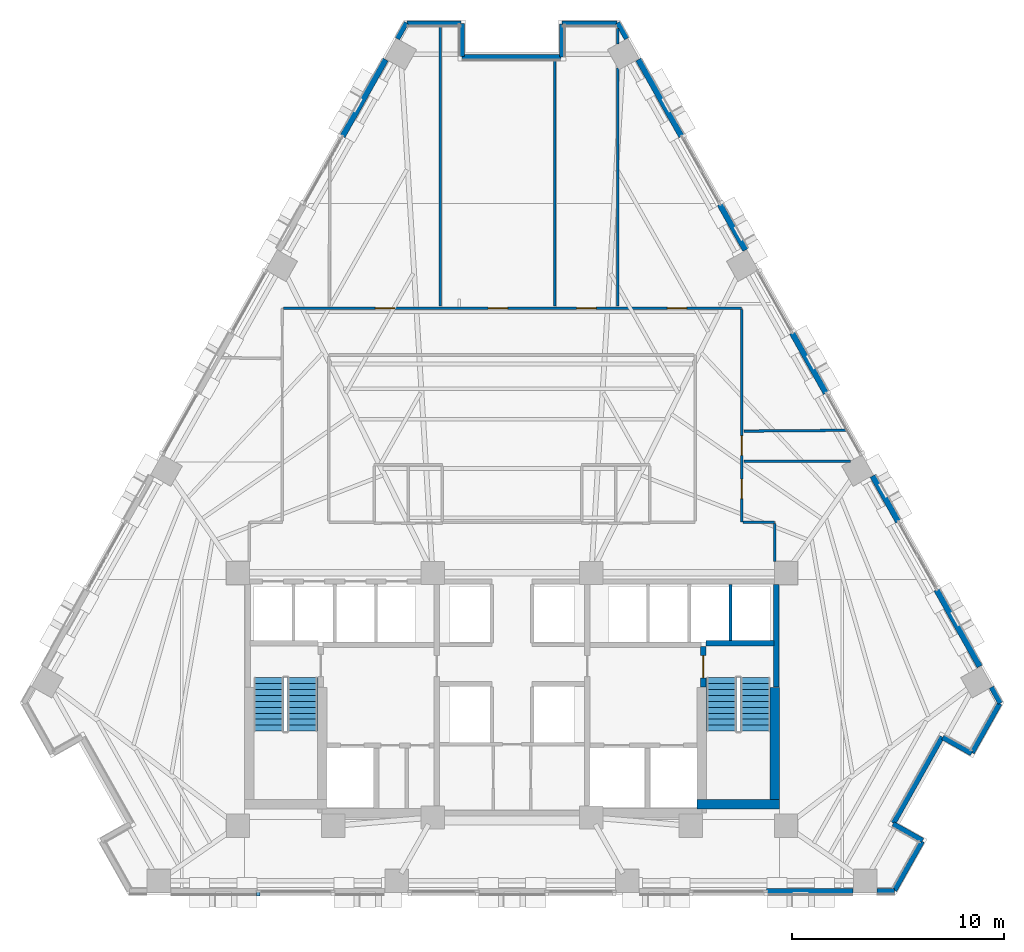
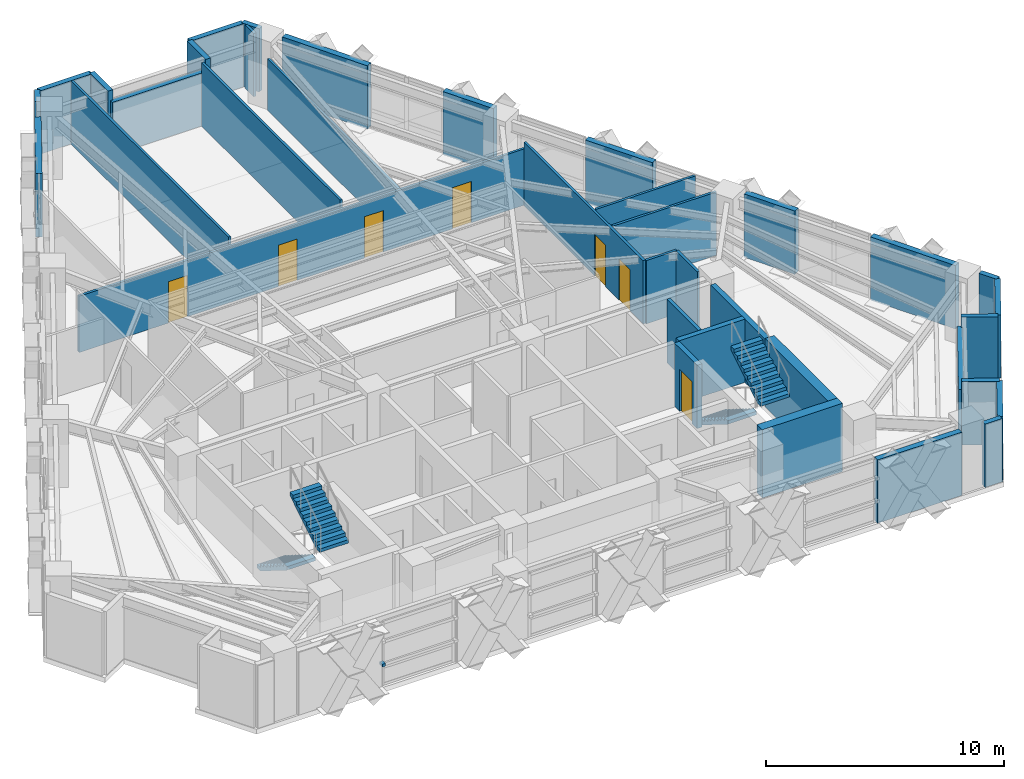
# One storey, part 9 of 14: 37 walls, 7 doors, 4 stair flights, 1 discrete accessory, 7 openings, 2 elements without a shape of their own.
"""IFC4 building model written with IfcOpenShell, lengths in metres."""

from ifc_helpers import new_model, si_unit, direction, frame, frame_2d, origin, origin_2d, place, context, subcontext, project, spatial, polyline, rectangle, outline, extrude, material, layer, layer_set, type_object, element, fill, aggregate, save


model = new_model("IFC4")

# Units and contexts
model_context = context("Model", 3, precision=1e-05, world=origin(), true_north=direction((0.0, 1.0)))
body_context = subcontext(model_context, "Body", "Model", "MODEL_VIEW")
ifc_project = project(units=[si_unit("LENGTHUNIT", "METRE"), si_unit("AREAUNIT", "SQUARE_METRE"), si_unit("VOLUMEUNIT", "CUBIC_METRE"), si_unit("PLANEANGLEUNIT", "RADIAN"), si_unit("MASSUNIT", "GRAM", prefix="KILO")], contexts=[model_context])

# Site, building, storey
site_placement = place(None, origin())
site = spatial("IfcSite", under=ifc_project, at=site_placement, CompositionType="ELEMENT")
building_placement = place(site_placement, origin())
building = spatial("IfcBuilding", under=site, at=building_placement, Name="Quenlor Broadcast Tower", CompositionType="ELEMENT")
storey_placement = place(building_placement, frame((0.0, 0.0, 80.10009765625)))
storey = spatial("IfcBuildingStorey", under=building, at=storey_placement, Name="L21", CompositionType="ELEMENT", Elevation=80.10009765625)

# Walls
ifc_material_1 = material(Name="Concrete C50/60", Category="concrete")
ifc_layer_1 = layer(ifc_material_1, 0.449951171875)
ifc_layer_set_1 = layer_set([ifc_layer_1], Name="Core Concrete C50/60 Shear Wall 450")
wall_type_1 = type_object("IfcWallType", Name="Core Concrete C50/60 Shear Wall 450", PredefinedType="SHEAR", material=ifc_layer_set_1)
wall_1_placement = place(storey_placement, frame((8.75, -15.72509765625, 0.0), z_axis=(0.0, 0.0, 1.0), x_axis=(1.0, 0.0, 0.0)))
element("IfcWall", 1, at=wall_1_placement, inside=storey, type_object=wall_type_1, Name="L21 Core Shear Wall WS-E2", PredefinedType="SHEAR", context=body_context, shape_type="SweptSolid", body=[
    extrude(rectangle(XDim=3.89990234375, YDim=0.449951171875, at=frame_2d((1.949951171875, 0.0))), origin(), (0.0, 0.0, 1.0), 3.5),
])
wall_2_placement = place(storey_placement, frame((12.425048828125, -15.72509765625, 0.0), z_axis=(0.0, 0.0, 1.0), x_axis=(0.0, 1.0, 0.0)))
element("IfcWall", 2, at=wall_2_placement, inside=storey, type_object=wall_type_1, Name="L21 Core Shear Wall WF-E", PredefinedType="SHEAR", context=body_context, shape_type="SweptSolid", body=[
    extrude(rectangle(XDim=5.525146484375, YDim=0.449951171875, at=frame_2d((2.7626953125, 0.0))), origin(), (0.0, 0.0, 1.0), 3.5),
])

# Wall, opening, door
ifc_material_2 = material(Name="Concrete C40/50", Category="concrete")
ifc_layer_2 = layer(ifc_material_2, 0.25)
ifc_layer_set_2 = layer_set([ifc_layer_2], Name="Fire Rated Concrete C40/50 Core Wall 250")
wall_type_2 = type_object("IfcWallType", Name="Fire Rated Concrete C40/50 Core Wall 250", PredefinedType="PARTITIONING", material=ifc_layer_set_2)
wall_3_placement = place(storey_placement, frame((9.0400390625, -10.179931640625, 0.0), z_axis=(0.0, 0.0, 1.0), x_axis=(0.0, 1.0, 0.0)))
wall_3 = element("IfcWall", 3, at=wall_3_placement, inside=storey, type_object=wall_type_2, Name="L21 Interior Wall CW-ST2-DR", PredefinedType="PARTITIONING", context=body_context, shape_type="SweptSolid", body=[
    extrude(rectangle(XDim=1.89990234375, YDim=0.25, at=frame_2d((0.949951171875, 0.0))), origin(), (0.0, 0.0, 1.0), 3.25),
])
opening_1_placement = place(wall_3_placement, frame((0.419921875, 0.0, 0.0)))
opening_1 = element("IfcOpeningElement", 4, at=opening_1_placement, cuts=wall_3, Name="Opening FD-1", PredefinedType="OPENING", context=body_context, shape_type="SweptSolid", body=[
    extrude(rectangle(XDim=1.050048828125, YDim=2.14990234375, at=frame_2d((0.52490234375, 1.074951171875))), frame((0.0, 0.135009765625, 0.0), z_axis=(0.0, -1.0, 0.0), x_axis=(1.0, 0.0, 0.0)), (0.0, 0.0, 1.0), 0.27001953125),
])
ifc_material_3 = material(Name="Fire Rated Steel Door Leaf", Category="steel")
door_type_1 = type_object("IfcDoorType", Name="Fire Isolated Stair Door 1050x2150", OperationType="NOTDEFINED", PredefinedType="DOOR", material=ifc_material_3)
door_1_placement = place(opening_1_placement, origin())
door_1 = element("IfcDoor", 5, at=door_1_placement, inside=storey, type_object=door_type_1, Name="L21 Door DR-ST2", OperationType="SINGLE_SWING_RIGHT", OverallHeight=2.14990234375, OverallWidth=1.050048828125, PredefinedType="DOOR", context=body_context, shape_type="SweptSolid", body=[
    extrude(rectangle(XDim=1.050048828125, YDim=2.14990234375, at=frame_2d((0.52490234375, 1.074951171875))), frame((0.0, 0.02490234375, 0.0), z_axis=(0.0, -1.0, 0.0), x_axis=(1.0, 0.0, 0.0)), (0.0, 0.0, 1.0), 0.050048828125),
])
fill(opening_1, door_1)

# Walls
wall_4_placement = place(storey_placement, frame((9.159912109375, -8.1201171875, 0.0), z_axis=(0.0, 0.0, 1.0), x_axis=(1.0, 0.0, 0.0)))
element("IfcWall", 6, at=wall_4_placement, inside=storey, type_object=wall_type_2, Name="L21 Interior Wall CW-ST2-N", PredefinedType="PARTITIONING", context=body_context, shape_type="SweptSolid", body=[
    extrude(rectangle(XDim=3.219970703125, YDim=0.25, at=frame_2d((1.60986328125, 0.0))), origin(), (0.0, 0.0, 1.0), 3.25),
])
wall_5_placement = place(storey_placement, frame((12.47998046875, -10.179931640625, 0.0), z_axis=(0.0, 0.0, 1.0), x_axis=(0.0, 1.0, 0.0)))
element("IfcWall", 7, at=wall_5_placement, inside=storey, type_object=wall_type_2, Name="L21 Interior Wall CW-ST2-E2", PredefinedType="PARTITIONING", context=body_context, shape_type="SweptSolid", body=[
    extrude(rectangle(XDim=4.827880859375, YDim=0.25, at=frame_2d((2.4140625, 0.0))), origin(), (0.0, 0.0, 1.0), 3.25),
])
ifc_material_4 = material(Name="Gypsum Fireboard Partition", Category="other")
ifc_layer_3 = layer(ifc_material_4, 0.159912109375)
ifc_layer_set_3 = layer_set([ifc_layer_3], Name="Fire Rated Shaft and Corridor Partition 160")
wall_type_3 = type_object("IfcWallType", Name="Fire Rated Shaft and Corridor Partition 160", PredefinedType="PARTITIONING", material=ifc_layer_set_3)
wall_6_placement = place(storey_placement, frame((10.324951171875, -7.992919921875, 0.0), z_axis=(0.0, 0.0, 1.0), x_axis=(0.0, 1.0, 0.0)))
element("IfcWall", 8, at=wall_6_placement, inside=storey, type_object=wall_type_3, Name="L21 Interior Wall CW-PLH-D3", PredefinedType="PARTITIONING", context=body_context, shape_type="SweptSolid", body=[
    extrude(rectangle(XDim=2.65283203125, YDim=0.159912109375, at=frame_2d((1.326416015625, 0.0))), origin(), (0.0, 0.0, 1.0), 3.25),
])

# Wall, openings, doors
ifc_material_5 = material(Name="Gypsum Plasterboard Partition", Category="other")
ifc_layer_4 = layer(ifc_material_5, 0.1201171875)
ifc_layer_set_4 = layer_set([ifc_layer_4], Name="Standard Office Partition 120")
wall_type_4 = type_object("IfcWallType", Name="Standard Office Partition 120", PredefinedType="PARTITIONING", material=ifc_layer_set_4)
wall_7_placement = place(storey_placement, frame((-10.7880859375, 7.699951171875, 0.0), z_axis=(0.0, 0.0, 1.0), x_axis=(1.0, 0.0, 0.0)))
wall_7 = element("IfcWall", 9, at=wall_7_placement, inside=storey, type_object=wall_type_4, Name="L21 Interior Wall PW-CR-03", PredefinedType="PARTITIONING", context=body_context, shape_type="SweptSolid", body=[
    extrude(rectangle(XDim=21.63818359375, YDim=0.1201171875, at=frame_2d((10.819091796875, 0.0))), origin(), (0.0, 0.0, 1.0), 2.891357421875),
])
opening_2_placement = place(wall_7_placement, frame((13.840087890625, 0.0, 0.0)))
opening_2 = element("IfcOpeningElement", 10, at=opening_2_placement, cuts=wall_7, Name="Opening ID-1", PredefinedType="OPENING", context=body_context, shape_type="SweptSolid", body=[
    extrude(rectangle(XDim=0.919921875, YDim=2.1201171875, at=frame_2d((0.4599609375, 1.06005859375))), frame((0.0, 0.070068359375, 0.0), z_axis=(0.0, -1.0, 0.0), x_axis=(1.0, 0.0, 0.0)), (0.0, 0.0, 1.0), 0.14013671875),
])
opening_3_placement = place(wall_7_placement, frame((9.6650390625, 0.0, 0.0)))
opening_3 = element("IfcOpeningElement", 11, at=opening_3_placement, cuts=wall_7, Name="Opening ID-1", PredefinedType="OPENING", context=body_context, shape_type="SweptSolid", body=[
    extrude(rectangle(XDim=0.919921875, YDim=2.1201171875, at=frame_2d((0.4599609375, 1.06005859375))), frame((0.0, 0.070068359375, 0.0), z_axis=(0.0, -1.0, 0.0), x_axis=(1.0, 0.0, 0.0)), (0.0, 0.0, 1.0), 0.14013671875),
])
opening_4_placement = place(wall_7_placement, frame((4.3330078125, 0.0, 0.0)))
opening_4 = element("IfcOpeningElement", 12, at=opening_4_placement, cuts=wall_7, Name="Opening ID-1", PredefinedType="OPENING", context=body_context, shape_type="SweptSolid", body=[
    extrude(rectangle(XDim=0.919921875, YDim=2.1201171875, at=frame_2d((0.4599609375, 1.06005859375))), frame((0.0, 0.070068359375, 0.0), z_axis=(0.0, -1.0, 0.0), x_axis=(1.0, 0.0, 0.0)), (0.0, 0.0, 1.0), 0.14013671875),
])
opening_5_placement = place(wall_7_placement, frame((18.1240234375, 0.0, 0.0)))
opening_5 = element("IfcOpeningElement", 13, at=opening_5_placement, cuts=wall_7, Name="Opening ID-1", PredefinedType="OPENING", context=body_context, shape_type="SweptSolid", body=[
    extrude(rectangle(XDim=0.919921875, YDim=2.1201171875, at=frame_2d((0.4599609375, 1.06005859375))), frame((0.0, 0.070068359375, 0.0), z_axis=(0.0, -1.0, 0.0), x_axis=(1.0, 0.0, 0.0)), (0.0, 0.0, 1.0), 0.14013671875),
])
ifc_material_6 = material(Name="Solid Core Timber Oak", Category="wood")
door_type_2 = type_object("IfcDoorType", Name="Single Leaf Timber Office Door 920x2120", OperationType="NOTDEFINED", PredefinedType="DOOR", material=ifc_material_6)
door_2_placement = place(opening_2_placement, origin())
door_2 = element("IfcDoor", 14, at=door_2_placement, inside=storey, type_object=door_type_2, Name="L21 Door DR-RM01", OperationType="SINGLE_SWING_RIGHT", OverallHeight=2.1201171875, OverallWidth=0.919921875, PredefinedType="DOOR", context=body_context, shape_type="SweptSolid", body=[
    extrude(rectangle(XDim=0.919921875, YDim=2.1201171875, at=frame_2d((0.4599609375, 1.06005859375))), frame((0.0, 0.02490234375, 0.0), z_axis=(0.0, -1.0, 0.0), x_axis=(1.0, 0.0, 0.0)), (0.0, 0.0, 1.0), 0.050048828125),
])
fill(opening_2, door_2)
door_3_placement = place(opening_3_placement, origin())
door_3 = element("IfcDoor", 15, at=door_3_placement, inside=storey, type_object=door_type_2, Name="L21 Door DR-RM02", OperationType="SINGLE_SWING_LEFT", OverallHeight=2.1201171875, OverallWidth=0.919921875, PredefinedType="DOOR", context=body_context, shape_type="SweptSolid", body=[
    extrude(rectangle(XDim=0.919921875, YDim=2.1201171875, at=frame_2d((0.4599609375, 1.06005859375))), frame((0.0, 0.02490234375, 0.0), z_axis=(0.0, -1.0, 0.0), x_axis=(1.0, 0.0, 0.0)), (0.0, 0.0, 1.0), 0.050048828125),
])
fill(opening_3, door_3)
door_4_placement = place(opening_4_placement, origin())
door_4 = element("IfcDoor", 16, at=door_4_placement, inside=storey, type_object=door_type_2, Name="L21 Door DR-RM03", OperationType="SINGLE_SWING_RIGHT", OverallHeight=2.1201171875, OverallWidth=0.919921875, PredefinedType="DOOR", context=body_context, shape_type="SweptSolid", body=[
    extrude(rectangle(XDim=0.919921875, YDim=2.1201171875, at=frame_2d((0.4599609375, 1.06005859375))), frame((0.0, 0.02490234375, 0.0), z_axis=(0.0, -1.0, 0.0), x_axis=(1.0, 0.0, 0.0)), (0.0, 0.0, 1.0), 0.050048828125),
])
fill(opening_4, door_4)
door_5_placement = place(opening_5_placement, origin())
door_5 = element("IfcDoor", 17, at=door_5_placement, inside=storey, type_object=door_type_2, Name="L21 Door DR-RM04", OperationType="SINGLE_SWING_LEFT", OverallHeight=2.1201171875, OverallWidth=0.919921875, PredefinedType="DOOR", context=body_context, shape_type="SweptSolid", body=[
    extrude(rectangle(XDim=0.919921875, YDim=2.1201171875, at=frame_2d((0.4599609375, 1.06005859375))), frame((0.0, 0.02490234375, 0.0), z_axis=(0.0, -1.0, 0.0), x_axis=(1.0, 0.0, 0.0)), (0.0, 0.0, 1.0), 0.050048828125),
])
fill(opening_5, door_5)

wall_8_placement = place(storey_placement, frame((10.85009765625, 7.637939453125, 0.0), z_axis=(0.0, 0.0, 1.0), x_axis=(0.0, -1.0, 0.0)))
wall_8 = element("IfcWall", 18, at=wall_8_placement, inside=storey, type_object=wall_type_4, Name="L21 Interior Wall PW-CR-04", PredefinedType="PARTITIONING", context=body_context, shape_type="SweptSolid", body=[
    extrude(rectangle(XDim=10.037841796875, YDim=0.1201171875, at=frame_2d((5.01904296875, 0.0))), origin(), (0.0, 0.0, 1.0), 3.25),
])
opening_6_placement = place(wall_8_placement, frame((5.965087890625, 0.0, 0.0)))
opening_6 = element("IfcOpeningElement", 19, at=opening_6_placement, cuts=wall_8, Name="Opening ID-1", PredefinedType="OPENING", context=body_context, shape_type="SweptSolid", body=[
    extrude(rectangle(XDim=0.919921875, YDim=2.1201171875, at=frame_2d((0.4599609375, 1.06005859375))), frame((0.0, 0.070068359375, 0.0), z_axis=(0.0, -1.0, 0.0), x_axis=(1.0, 0.0, 0.0)), (0.0, 0.0, 1.0), 0.14013671875),
])
opening_7_placement = place(wall_8_placement, frame((8.006103515625, 0.0, 0.0)))
opening_7 = element("IfcOpeningElement", 20, at=opening_7_placement, cuts=wall_8, Name="Opening ID-1", PredefinedType="OPENING", context=body_context, shape_type="SweptSolid", body=[
    extrude(rectangle(XDim=0.919921875, YDim=2.1201171875, at=frame_2d((0.4599609375, 1.06005859375))), frame((0.0, 0.070068359375, 0.0), z_axis=(0.0, -1.0, 0.0), x_axis=(1.0, 0.0, 0.0)), (0.0, 0.0, 1.0), 0.14013671875),
])
door_6_placement = place(opening_6_placement, origin())
door_6 = element("IfcDoor", 21, at=door_6_placement, inside=storey, type_object=door_type_2, Name="L21 Door DR-RM07", OperationType="SINGLE_SWING_RIGHT", OverallHeight=2.1201171875, OverallWidth=0.919921875, PredefinedType="DOOR", context=body_context, shape_type="SweptSolid", body=[
    extrude(rectangle(XDim=0.919921875, YDim=2.1201171875, at=frame_2d((0.4599609375, 1.06005859375))), frame((0.0, 0.02490234375, 0.0), z_axis=(0.0, -1.0, 0.0), x_axis=(1.0, 0.0, 0.0)), (0.0, 0.0, 1.0), 0.050048828125),
])
fill(opening_6, door_6)
door_7_placement = place(opening_7_placement, origin())
door_7 = element("IfcDoor", 22, at=door_7_placement, inside=storey, type_object=door_type_2, Name="L21 Door DR-RM08", OperationType="SINGLE_SWING_LEFT", OverallHeight=2.1201171875, OverallWidth=0.919921875, PredefinedType="DOOR", context=body_context, shape_type="SweptSolid", body=[
    extrude(rectangle(XDim=0.919921875, YDim=2.1201171875, at=frame_2d((0.4599609375, 1.06005859375))), frame((0.0, 0.02490234375, 0.0), z_axis=(0.0, -1.0, 0.0), x_axis=(1.0, 0.0, 0.0)), (0.0, 0.0, 1.0), 0.050048828125),
])
fill(opening_7, door_7)

# Walls
wall_9_placement = place(storey_placement, frame((10.912109375, -2.39990234375, 0.0), z_axis=(0.0, 0.0, 1.0), x_axis=(1.0, 0.0, 0.0)))
element("IfcWall", 23, at=wall_9_placement, inside=storey, type_object=wall_type_4, Name="L21 Interior Wall PW-CR-05", PredefinedType="PARTITIONING", context=body_context, shape_type="SweptSolid", body=[
    extrude(rectangle(XDim=1.497802734375, YDim=0.1201171875, at=frame_2d((0.7490234375, 0.0))), origin(), (0.0, 0.0, 1.0), 3.25),
])
wall_10_placement = place(storey_placement, frame((12.409912109375, -2.4619140625, 0.0), z_axis=(0.0, 0.0, 1.0), x_axis=(0.0, -1.0, 0.0)))
element("IfcWall", 24, at=wall_10_placement, inside=storey, type_object=wall_type_4, Name="L21 Interior Wall PW-CR-06", PredefinedType="PARTITIONING", context=body_context, shape_type="SweptSolid", body=[
    extrude(rectangle(XDim=1.7861328125, YDim=0.1201171875, at=frame_2d((0.89306640625, 0.0))), origin(), (0.0, 0.0, 1.0), 3.25),
])
wall_11_placement = place(storey_placement, frame((2.023681640625, 7.81005859375, 0.0), z_axis=(0.0, 0.0, 1.0), x_axis=(0.0, 1.0, 0.0)))
element("IfcWall", 25, at=wall_11_placement, inside=storey, type_object=wall_type_4, Name="L21 Interior Wall PW-DV-01", PredefinedType="PARTITIONING", context=body_context, shape_type="SweptSolid", body=[
    extrude(rectangle(XDim=11.635986328125, YDim=0.1201171875, at=frame_2d((5.81787109375, 0.0))), origin(), (0.0, 0.0, 1.0), 3.25),
])
wall_12_placement = place(storey_placement, frame((5.0, 20.935791015625, 0.0), z_axis=(0.0, 0.0, 1.0), x_axis=(0.0, -1.0, 0.0)))
element("IfcWall", 26, at=wall_12_placement, inside=storey, type_object=wall_type_4, Name="L21 Interior Wall PW-DV-02", PredefinedType="PARTITIONING", context=body_context, shape_type="SweptSolid", body=[
    extrude(rectangle(XDim=0.73095703125, YDim=0.1201171875, at=frame_2d((0.365478515625, 0.0))), origin(), (0.0, 0.0, 1.0), 3.25),
])
wall_13_placement = place(storey_placement, frame((5.0, 19.0595703125, 0.0), z_axis=(0.0, 0.0, 1.0), x_axis=(0.0, -1.0, 0.0)))
element("IfcWall", 27, at=wall_13_placement, inside=storey, type_object=wall_type_4, Name="L21 Interior Wall PW-DV-02S2", PredefinedType="PARTITIONING", context=body_context, shape_type="SweptSolid", body=[
    extrude(rectangle(XDim=11.24951171875, YDim=0.1201171875, at=frame_2d((5.624755859375, 0.0))), origin(), (0.0, 0.0, 1.0), 2.64794921875),
])
wall_14_placement = place(storey_placement, frame((-3.389892578125, 7.81005859375, 0.0), z_axis=(0.0, 0.0, 1.0), x_axis=(0.0, 1.0, 0.0)))
element("IfcWall", 28, at=wall_14_placement, inside=storey, type_object=wall_type_4, Name="L21 Interior Wall PW-DV-03", PredefinedType="PARTITIONING", context=body_context, shape_type="SweptSolid", body=[
    extrude(rectangle(XDim=13.23583984375, YDim=0.1201171875, at=frame_2d((6.617919921875, 0.0))), origin(), (0.0, 0.0, 1.0), 3.25),
])
wall_15_placement = place(storey_placement, frame((15.813232421875, 1.94091796875, 0.0), z_axis=(0.0, 0.0, 1.0), x_axis=(-0.999966796082, -0.008149032696, 0.0)))
element("IfcWall", 29, at=wall_15_placement, inside=storey, type_object=wall_type_4, Name="L21 Interior Wall PW-DV-05", PredefinedType="PARTITIONING", context=body_context, shape_type="SweptSolid", body=[
    extrude(rectangle(XDim=4.853515625, YDim=0.1201171875, at=frame_2d((2.4267578125, 0.0))), origin(), (0.0, 0.0, 1.0), 3.25),
])
wall_16_placement = place(storey_placement, frame((15.99267578125, 0.486328125, 0.0), z_axis=(0.0, 0.0, 1.0), x_axis=(-1.0, 0.0, 0.0)))
element("IfcWall", 30, at=wall_16_placement, inside=storey, type_object=wall_type_4, Name="L21 Interior Wall PW-DV-07", PredefinedType="PARTITIONING", context=body_context, shape_type="SweptSolid", body=[
    extrude(rectangle(XDim=5.03271484375, YDim=0.1201171875, at=frame_2d((2.516357421875, 0.0))), origin(), (0.0, 0.0, 1.0), 3.25),
])
ifc_material_7 = material(Name="Precast concrete C40/50", Category="concrete")
ifc_layer_5 = layer(ifc_material_7, 0.239990234375)
ifc_layer_set_5 = layer_set([ifc_layer_5], Name="Terrace Threshold Precast Concrete C40/50 Wall 240")
wall_type_5 = type_object("IfcWallType", Name="Terrace Threshold Precast Concrete C40/50 Wall 240", PredefinedType="STANDARD", material=ifc_layer_set_5)
wall_17_placement = place(storey_placement, frame((18.083984375, -19.840087890625, 0.0), z_axis=(0.0, 0.0, 1.0), x_axis=(-1.0, 0.0, 0.0)))
element("IfcWall", 31, at=wall_17_placement, inside=storey, type_object=wall_type_5, Name="L21 Exterior Wall L21-SHD-SS0", PredefinedType="STANDARD", context=body_context, shape_type="SweptSolid", body=[
    extrude(rectangle(XDim=0.83642578125, YDim=0.239990234375, at=frame_2d((0.418212890625, 0.0))), origin(), (0.0, 0.0, 1.0), 3.25),
])
for number, where, z_axis, x_axis, name in (
    (32, (4.992919921875, 21.197265625, 0.0), (0.0, 0.0, 1.0), (0.490355003566, -0.871522788272, 0.0), "L21 Exterior Wall L21-SHD-NES0"),
    (33, (22.65380859375, -10.199951171875, 0.0), (0.0, 0.0, 1.0), (0.490355003566, -0.871522788272, 0.0), "L21 Exterior Wall L21-SHD-NES1"),
    (34, (-5.417236328125, 20.443115234375, 0.0), (0.0, 0.0, 1.0), (0.490355003566, 0.871522788272, 0.0), "L21 Exterior Wall L21-SHD-NWS1"),
):
    element("IfcWall", number, at=place(storey_placement, frame(where, z_axis=z_axis, x_axis=x_axis)), inside=storey, type_object=wall_type_5, Name=name, PredefinedType="STANDARD", context=body_context, shape_type="SweptSolid", body=[
        extrude(rectangle(XDim=0.865234375, YDim=0.239990234375, at=frame_2d((0.4326171875, 0.0))), origin(), (0.0, 0.0, 1.0), 3.25),
    ])
wall_18_placement = place(storey_placement, frame((19.39892578125, -17.4423828125, 0.0), z_axis=(0.0, 0.0, 1.0), x_axis=(-0.871575537125, 0.490261239633, 0.0)))
element("IfcWall", 35, at=wall_18_placement, inside=storey, type_object=wall_type_5, Name="L21 Exterior Wall L21-CNR-01", PredefinedType="STANDARD", context=body_context, shape_type="SweptSolid", body=[
    extrude(rectangle(XDim=1.60009765625, YDim=0.239990234375, at=frame_2d((0.800048828125, 0.0))), origin(), (0.0, 0.0, 1.0), 3.25),
])
wall_19_placement = place(storey_placement, frame((18.024169921875, -16.623046875, 0.0), z_axis=(0.0, 0.0, 1.0), x_axis=(0.490273623647, 0.871568571001, 0.0)))
element("IfcWall", 36, at=wall_19_placement, inside=storey, type_object=wall_type_5, Name="L21 Exterior Wall L21-CNR-02", PredefinedType="STANDARD", context=body_context, shape_type="SweptSolid", body=[
    extrude(rectangle(XDim=4.679931640625, YDim=0.239990234375, at=frame_2d((2.33984375, 0.0))), origin(), (0.0, 0.0, 1.0), 2.7216796875),
])
wall_20_placement = place(storey_placement, frame((20.353515625, -12.563720703125, 0.0), z_axis=(0.0, 0.0, 1.0), x_axis=(0.871546278971, -0.490313250496, 0.0)))
element("IfcWall", 37, at=wall_20_placement, inside=storey, type_object=wall_type_5, Name="L21 Exterior Wall L21-CNR-03", PredefinedType="STANDARD", context=body_context, shape_type="SweptSolid", body=[
    extrude(rectangle(XDim=1.56005859375, YDim=0.239990234375, at=frame_2d((0.780029296875, 0.0))), origin(), (0.0, 0.0, 1.0), 3.25),
])
wall_21_placement = place(storey_placement, frame((21.732666015625, -13.293701171875, 0.0), z_axis=(0.0, 0.0, 1.0), x_axis=(0.490265590412, 0.871573089797, 0.0)))
element("IfcWall", 38, at=wall_21_placement, inside=storey, type_object=wall_type_5, Name="L21 Exterior Wall L21-CNR-04", PredefinedType="STANDARD", context=body_context, shape_type="SweptSolid", body=[
    extrude(rectangle(XDim=2.6640625, YDim=0.239990234375, at=frame_2d((1.33203125, 0.0))), origin(), (0.0, 0.0, 1.0), 3.25),
])
wall_22_placement = place(storey_placement, frame((4.95947265625, 21.16796875, 0.0), z_axis=(0.0, 0.0, 1.0), x_axis=(-1.0, 0.0, 0.0)))
element("IfcWall", 39, at=wall_22_placement, inside=storey, type_object=wall_type_5, Name="L21 Exterior Wall L21-CNR-06", PredefinedType="STANDARD", context=body_context, shape_type="SweptSolid", body=[
    extrude(rectangle(XDim=2.599365234375, YDim=0.239990234375, at=frame_2d((1.2998046875, 0.0))), origin(), (0.0, 0.0, 1.0), 3.25),
])
wall_23_placement = place(storey_placement, frame((2.360107421875, 21.1279296875, 0.0), z_axis=(0.0, 0.0, 1.0), x_axis=(0.0, -1.0, 0.0)))
element("IfcWall", 40, at=wall_23_placement, inside=storey, type_object=wall_type_5, Name="L21 Exterior Wall L21-CNR-07", PredefinedType="STANDARD", context=body_context, shape_type="SweptSolid", body=[
    extrude(rectangle(XDim=1.559814453125, YDim=0.239990234375, at=frame_2d((0.77978515625, 0.0))), origin(), (0.0, 0.0, 1.0), 3.25),
])
wall_24_placement = place(storey_placement, frame((2.320068359375, 19.568115234375, 0.0), z_axis=(0.0, 0.0, 1.0), x_axis=(-1.0, 0.0, 0.0)))
element("IfcWall", 41, at=wall_24_placement, inside=storey, type_object=wall_type_5, Name="L21 Exterior Wall L21-CNR-08", PredefinedType="STANDARD", context=body_context, shape_type="SweptSolid", body=[
    extrude(rectangle(XDim=4.68017578125, YDim=0.239990234375, at=frame_2d((2.340087890625, 0.0))), origin(), (0.0, 0.0, 1.0), 2.7216796875),
])
wall_25_placement = place(storey_placement, frame((-2.360107421875, 19.60791015625, 0.0), z_axis=(0.0, 0.0, 1.0), x_axis=(0.0, 1.0, 0.0)))
element("IfcWall", 42, at=wall_25_placement, inside=storey, type_object=wall_type_5, Name="L21 Exterior Wall L21-CNR-09", PredefinedType="STANDARD", context=body_context, shape_type="SweptSolid", body=[
    extrude(rectangle(XDim=1.56005859375, YDim=0.239990234375, at=frame_2d((0.780029296875, 0.0))), origin(), (0.0, 0.0, 1.0), 3.25),
])
wall_26_placement = place(storey_placement, frame((-2.39990234375, 21.16796875, 0.0), z_axis=(0.0, 0.0, 1.0), x_axis=(-1.0, 0.0, 0.0)))
element("IfcWall", 43, at=wall_26_placement, inside=storey, type_object=wall_type_5, Name="L21 Exterior Wall L21-CNR-10", PredefinedType="STANDARD", context=body_context, shape_type="SweptSolid", body=[
    extrude(rectangle(XDim=2.5595703125, YDim=0.239990234375, at=frame_2d((1.27978515625, 0.0))), origin(), (0.0, 0.0, 1.0), 3.25),
])
wall_27_placement = place(storey_placement, frame((18.074951171875, -19.79638671875, 0.0), z_axis=(0.0, 0.0, 1.0), x_axis=(0.490248170584, 0.871582888335, 0.0)))
element("IfcWall", 44, at=wall_27_placement, inside=storey, type_object=wall_type_5, Name="L21 Exterior Wall L21-CNR-18", PredefinedType="STANDARD", context=body_context, shape_type="SweptSolid", body=[
    extrude(rectangle(XDim=2.660888671875, YDim=0.239990234375, at=frame_2d((1.33056640625, 0.0))), origin(), (0.0, 0.0, 1.0), 3.25),
])
ifc_material_8 = material(Name="Precast concrete C40/50", Category="concrete")
ifc_layer_6 = layer(ifc_material_8, 0.280029296875)
ifc_layer_set_6 = layer_set([ifc_layer_6], Name="Terracotta Precast Concrete C40/50 Facade Wall 280")
wall_type_6 = type_object("IfcWallType", Name="Terracotta Precast Concrete C40/50 Facade Wall 280", PredefinedType="STANDARD", material=ifc_layer_set_6)
wall_28_placement = place(storey_placement, frame((16.117431640625, -19.840087890625, 0.0), z_axis=(0.0, 0.0, 1.0), x_axis=(-1.0, 0.0, 0.0)))
element("IfcWall", 45, at=wall_28_placement, inside=storey, type_object=wall_type_6, Name="L21 Exterior Wall L21-SA-SP1", PredefinedType="STANDARD", context=body_context, shape_type="SweptSolid", body=[
    extrude(rectangle(XDim=4.09814453125, YDim=0.280029296875, at=frame_2d((2.049072265625, 0.0))), origin(), (0.0, 0.0, 1.0), 3.25),
])
wall_29_placement = place(storey_placement, frame((5.97119140625, 19.458251953125, 0.0), z_axis=(0.0, 0.0, 1.0), x_axis=(0.490280725514, -0.87156457603, 0.0)))
element("IfcWall", 46, at=wall_29_placement, inside=storey, type_object=wall_type_6, Name="L21 Exterior Wall L21-NEA-SP1", PredefinedType="STANDARD", context=body_context, shape_type="SweptSolid", body=[
    extrude(rectangle(XDim=4.1640625, YDim=0.280029296875, at=frame_2d((2.08203125, 0.0))), origin(), (0.0, 0.0, 1.0), 3.25),
])
for number, where, z_axis, x_axis, name in (
    (47, (9.819091796875, 12.6171875, 0.0), (0.0, 0.0, 1.0), (0.490303410255, -0.871551814807, 0.0), "L21 Exterior Wall L21-NEA-SP2"),
    (48, (17.0390625, -0.218017578125, 0.0), (0.0, 0.0, 1.0), (0.490186269625, -0.871617703509, 0.0), "L21 Exterior Wall L21-NEC-SP1"),
):
    element("IfcWall", number, at=place(storey_placement, frame(where, z_axis=z_axis, x_axis=x_axis)), inside=storey, type_object=wall_type_6, Name=name, PredefinedType="STANDARD", context=body_context, shape_type="SweptSolid", body=[
        extrude(rectangle(XDim=2.473876953125, YDim=0.280029296875, at=frame_2d((1.23681640625, 0.0))), origin(), (0.0, 0.0, 1.0), 3.25),
    ])
wall_30_placement = place(storey_placement, frame((20.058349609375, -5.585693359375, 0.0), z_axis=(0.0, 0.0, 1.0), x_axis=(0.490255672477, -0.871578668626, 0.0)))
element("IfcWall", 49, at=wall_30_placement, inside=storey, type_object=wall_type_6, Name="L21 Exterior Wall L21-NEC-SP2", PredefinedType="STANDARD", context=body_context, shape_type="SweptSolid", body=[
    extrude(rectangle(XDim=4.1640625, YDim=0.280029296875, at=frame_2d((2.08203125, 0.0))), origin(), (0.0, 0.0, 1.0), 3.25),
])
wall_31_placement = place(storey_placement, frame((13.232177734375, 6.549560546875, 0.0), z_axis=(0.0, 0.0, 1.0), x_axis=(0.490310760781, -0.871547679626, 0.0)))
element("IfcWall", 50, at=wall_31_placement, inside=storey, type_object=wall_type_6, Name="L21 Exterior Wall L21-NE-SP1", PredefinedType="STANDARD", context=body_context, shape_type="SweptSolid", body=[
    extrude(rectangle(XDim=3.27685546875, YDim=0.280029296875, at=frame_2d((1.638427734375, 0.0))), origin(), (0.0, 0.0, 1.0), 3.25),
])
wall_32_placement = place(storey_placement, frame((-8.0126953125, 15.8291015625, 0.0), z_axis=(0.0, 0.0, 1.0), x_axis=(0.490280725514, 0.87156457603, 0.0)))
element("IfcWall", 51, at=wall_32_placement, inside=storey, type_object=wall_type_6, Name="L21 Exterior Wall L21-NWC-SP2", PredefinedType="STANDARD", context=body_context, shape_type="SweptSolid", body=[
    extrude(rectangle(XDim=4.1640625, YDim=0.280029296875, at=frame_2d((2.08203125, 0.0))), origin(), (0.0, 0.0, 1.0), 3.25),
])

# Stair, stair flights
ifc_material_9 = material(Name="Precast concrete C40/50", Category="concrete")
stair_type = type_object("IfcStairType", Name="Precast Concrete C40/50 Dogleg Stair H350", PredefinedType="HALF_TURN_STAIR", material=ifc_material_9)
stair_1_placement = place(storey_placement, origin())
stair_1 = element("IfcStair", 52, at=stair_1_placement, inside=storey, type_object=stair_type, Name="L21 West Core Fire-Isolated Exit Stair ST-1", PredefinedType="HALF_TURN_STAIR")
ifc_material_10 = material(Name="Precast concrete C40/50", Category="concrete")
ifc_layer_7 = layer(ifc_material_10, 0.159912109375)
ifc_layer_set_7 = layer_set([ifc_layer_7], Name="Precast Concrete C40/50 Stair Flight H350")
stair_flight_type = type_object("IfcStairFlightType", Name="Precast Concrete C40/50 Stair Flight H350", PredefinedType="STRAIGHT", material=ifc_layer_set_7)
stair_flight_1_placement = place(storey_placement, frame((-11.5, -9.75, 0.0), z_axis=(0.0, 0.0, 1.0), x_axis=(0.0, -1.0, 0.0)))
stair_flight_1 = element("IfcStairFlight", 53, at=stair_flight_1_placement, type_object=stair_flight_type, Name="ST-1 flight 1", NumberOfRisers=10, NumberOfTreads=9, PredefinedType="STRAIGHT", RiserHeight=0.175, TreadLength=0.28, context=body_context, shape_type="SweptSolid", body=[
    extrude(outline(polyline([(0.0, 0.0), (0.0, 0.175048828125), (0.280029296875, 0.175048828125), (0.280029296875, 0.35009765625), (0.56005859375, 0.35009765625), (0.56005859375, 0.52490234375), (0.840087890625, 0.52490234375), (0.840087890625, 0.699951171875), (1.1201171875, 0.699951171875), (1.1201171875, 0.875), (1.39990234375, 0.875), (1.39990234375, 1.050048828125), (1.679931640625, 1.050048828125), (1.679931640625, 1.22509765625), (1.9599609375, 1.22509765625), (1.9599609375, 1.39990234375), (2.239990234375, 1.39990234375), (2.239990234375, 1.574951171875), (2.52001953125, 1.574951171875), (2.52001953125, 1.75), (2.52001953125, 1.398193359375), (0.28271484375, 0.0), (0.0, 0.0)])), frame((0.0, 0.699951171875, 0.0), z_axis=(0.0, -1.0, 0.0), x_axis=(1.0, 0.0, 0.0)), (0.0, 0.0, 1.0), 1.39990234375),
])
stair_flight_2_placement = place(storey_placement, frame((-9.89990234375, -12.27001953125, 1.75), z_axis=(0.0, 0.0, 1.0), x_axis=(0.0, 1.0, 0.0)))
stair_flight_2 = element("IfcStairFlight", 54, at=stair_flight_2_placement, type_object=stair_flight_type, Name="ST-1 flight 2", NumberOfRisers=10, NumberOfTreads=9, PredefinedType="STRAIGHT", RiserHeight=0.175, TreadLength=0.28, context=body_context, shape_type="SweptSolid", body=[
    extrude(outline(polyline([(0.0, 0.0), (0.0, 0.175048828125), (0.280029296875, 0.175048828125), (0.280029296875, 0.35009765625), (0.56005859375, 0.35009765625), (0.56005859375, 0.52490234375), (0.840087890625, 0.52490234375), (0.840087890625, 0.699951171875), (1.1201171875, 0.699951171875), (1.1201171875, 0.875), (1.39990234375, 0.875), (1.39990234375, 1.050048828125), (1.679931640625, 1.050048828125), (1.679931640625, 1.22509765625), (1.9599609375, 1.22509765625), (1.9599609375, 1.39990234375), (2.239990234375, 1.39990234375), (2.239990234375, 1.574951171875), (2.52001953125, 1.574951171875), (2.52001953125, 1.75), (2.52001953125, 1.398193359375), (0.28271484375, 0.0), (0.0, 0.0)])), frame((0.0, 0.699951171875, 0.0), z_axis=(0.0, -1.0, 0.0), x_axis=(1.0, 0.0, 0.0)), (0.0, 0.0, 1.0), 1.39990234375),
])
aggregate(stair_1, [stair_flight_1, stair_flight_2])

stair_2_placement = place(storey_placement, origin())
stair_2 = element("IfcStair", 55, at=stair_2_placement, inside=storey, type_object=stair_type, Name="L21 East Core Fire-Isolated Exit Stair ST-2", PredefinedType="HALF_TURN_STAIR")
stair_flight_3_placement = place(storey_placement, frame((9.89990234375, -9.75, 0.0), z_axis=(0.0, 0.0, 1.0), x_axis=(0.0, -1.0, 0.0)))
stair_flight_3 = element("IfcStairFlight", 56, at=stair_flight_3_placement, type_object=stair_flight_type, Name="ST-2 flight 1", NumberOfRisers=10, NumberOfTreads=9, PredefinedType="STRAIGHT", RiserHeight=0.175, TreadLength=0.28, context=body_context, shape_type="SweptSolid", body=[
    extrude(outline(polyline([(0.0, 0.0), (0.0, 0.175048828125), (0.280029296875, 0.175048828125), (0.280029296875, 0.35009765625), (0.56005859375, 0.35009765625), (0.56005859375, 0.52490234375), (0.840087890625, 0.52490234375), (0.840087890625, 0.699951171875), (1.1201171875, 0.699951171875), (1.1201171875, 0.875), (1.39990234375, 0.875), (1.39990234375, 1.050048828125), (1.679931640625, 1.050048828125), (1.679931640625, 1.22509765625), (1.9599609375, 1.22509765625), (1.9599609375, 1.39990234375), (2.239990234375, 1.39990234375), (2.239990234375, 1.574951171875), (2.52001953125, 1.574951171875), (2.52001953125, 1.75), (2.52001953125, 1.398193359375), (0.28271484375, 0.0), (0.0, 0.0)])), frame((0.0, 0.699951171875, 0.0), z_axis=(0.0, -1.0, 0.0), x_axis=(1.0, 0.0, 0.0)), (0.0, 0.0, 1.0), 1.39990234375),
])
stair_flight_4_placement = place(storey_placement, frame((11.5, -12.27001953125, 1.75), z_axis=(0.0, 0.0, 1.0), x_axis=(0.0, 1.0, 0.0)))
stair_flight_4 = element("IfcStairFlight", 57, at=stair_flight_4_placement, type_object=stair_flight_type, Name="ST-2 flight 2", NumberOfRisers=10, NumberOfTreads=9, PredefinedType="STRAIGHT", RiserHeight=0.175, TreadLength=0.28, context=body_context, shape_type="SweptSolid", body=[
    extrude(outline(polyline([(0.0, 0.0), (0.0, 0.175048828125), (0.280029296875, 0.175048828125), (0.280029296875, 0.35009765625), (0.56005859375, 0.35009765625), (0.56005859375, 0.52490234375), (0.840087890625, 0.52490234375), (0.840087890625, 0.699951171875), (1.1201171875, 0.699951171875), (1.1201171875, 0.875), (1.39990234375, 0.875), (1.39990234375, 1.050048828125), (1.679931640625, 1.050048828125), (1.679931640625, 1.22509765625), (1.9599609375, 1.22509765625), (1.9599609375, 1.39990234375), (2.239990234375, 1.39990234375), (2.239990234375, 1.574951171875), (2.52001953125, 1.574951171875), (2.52001953125, 1.75), (2.52001953125, 1.398193359375), (0.28271484375, 0.0), (0.0, 0.0)])), frame((0.0, 0.699951171875, 0.0), z_axis=(0.0, -1.0, 0.0), x_axis=(1.0, 0.0, 0.0)), (0.0, 0.0, 1.0), 1.39990234375),
])
aggregate(stair_2, [stair_flight_3, stair_flight_4])

# Discrete accessory
ifc_material_11 = material(Name="Aluminium 6063-T6", Category="aluminium")
discrete_accessory_type = type_object("IfcDiscreteAccessoryType", Name="Stainless Mullion Baguette Support Bracket", PredefinedType="BRACKET", material=ifc_material_11)
discrete_accessory_placement = place(storey_placement, frame((-11.981689453125, -19.93994140625, 1.10009765625), z_axis=(0.0, 0.0, 1.0), x_axis=(-1.0, 0.0, 0.0)))
element("IfcDiscreteAccessory", 58, at=discrete_accessory_placement, inside=storey, type_object=discrete_accessory_type, Name="L21 Baguette Mullion Bracket 1.2", PredefinedType="BRACKET", context=body_context, shape_type="SweptSolid", body=[
    extrude(rectangle(XDim=0.159912109375, YDim=0.239990234375, at=origin_2d()), origin(), (0.0, 0.0, 1.0), 0.139892578125),
])

save(model, "model.ifc")
